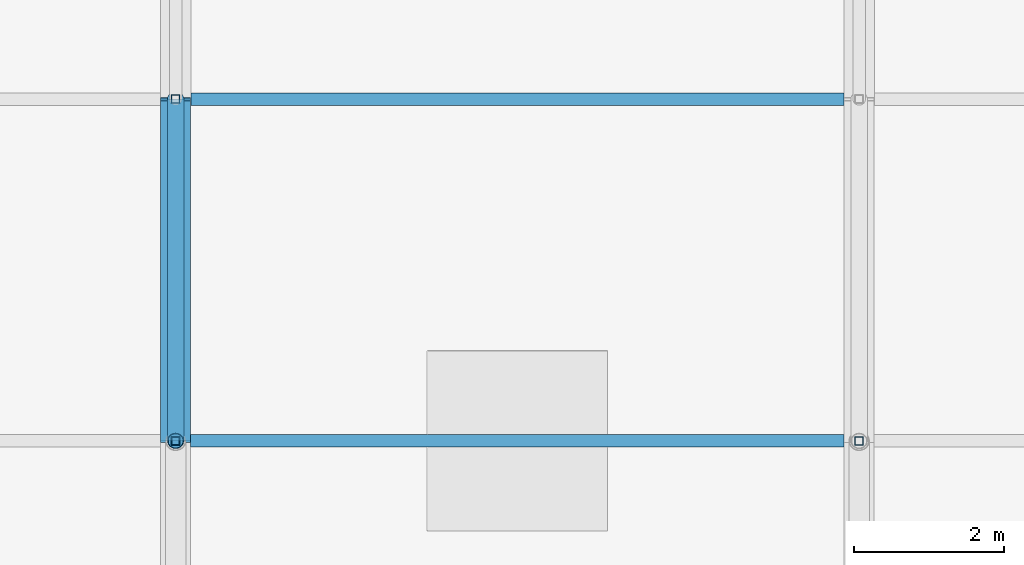
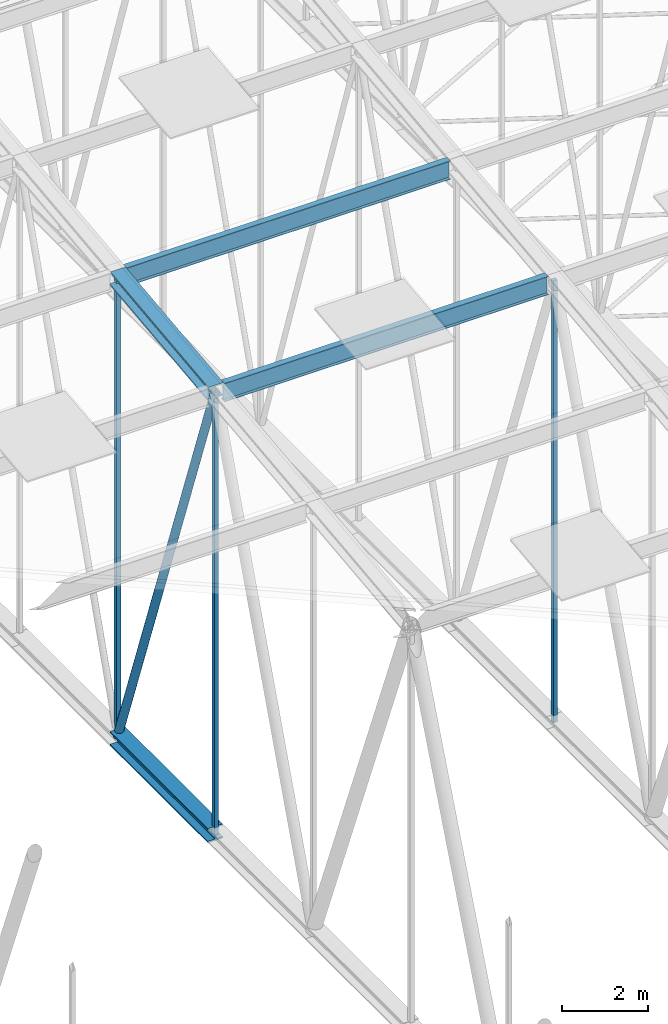
# One storey, part 140 of 500: 8 members.
"""IFC4 building model written with IfcOpenShell, lengths in metres."""

from ifc_helpers import new_model, si_unit, direction, frame, origin, origin_2d, place, context, subcontext, project, spatial, hollow_rectangle, hollow_circle, i_section, extrude, material, material_profile, profile_set, type_object, element, save


model = new_model("IFC4")

# Units and contexts
model_context = context("Model", 3, precision=1e-05, world=origin(), true_north=direction((0.0, 1.0)))
body_context = subcontext(model_context, "Body", "Model", "MODEL_VIEW")
ifc_project = project(units=[si_unit("LENGTHUNIT", "METRE"), si_unit("AREAUNIT", "SQUARE_METRE"), si_unit("VOLUMEUNIT", "CUBIC_METRE"), si_unit("PLANEANGLEUNIT", "RADIAN"), si_unit("MASSUNIT", "GRAM", prefix="KILO")], contexts=[model_context])

# Site, building, storey
site_placement = place(None, origin())
site = spatial("IfcSite", under=ifc_project, at=site_placement, CompositionType="ELEMENT")
building_placement = place(site_placement, origin())
building = spatial("IfcBuilding", under=site, at=building_placement, Name="Shirokan Park Arena", CompositionType="ELEMENT")
storey_placement = place(building_placement, frame((0.0, 0.0, 29.1201171875)))
storey = spatial("IfcBuildingStorey", under=building, at=storey_placement, Name="L06", CompositionType="ELEMENT", Elevation=29.1201171875)

# Members
ifc_material_1 = material(Name="Steel ASTM A992", Category="steel")
ifc_material_profile_1 = material_profile(ifc_material_1, i_section(OverallWidth=0.40087890625, OverallDepth=0.39892578125, WebThickness=0.02490234375, FlangeThickness=0.03955078125, at=origin_2d()), Name="W360X314")
ifc_profile_set_1 = profile_set([ifc_material_profile_1], Name="Steel ASTM A992")
member_type_1 = type_object("IfcMemberType", Name="Bottom chord W360X314", PredefinedType="CHORD", material=ifc_profile_set_1)
member_1_placement = place(storey_placement, frame((72.800048828125, 40.949951171875, 4.677001953125), z_axis=(0.0, 1.0, 0.0), x_axis=(-1.0, 0.0, 0.0)))
element("IfcMember", 1, at=member_1_placement, inside=storey, type_object=member_type_1, Name="Truss T09 bottom chord 12", PredefinedType="CHORD", context=body_context, shape_type="SweptSolid", body=[
    extrude(i_section(OverallWidth=0.40087890625, OverallDepth=0.39892578125, WebThickness=0.02490234375, FlangeThickness=0.03955078125, at=origin_2d()), origin(), (0.0, 0.0, 1.0), 4.550048828125),
])
ifc_material_profile_2 = material_profile(ifc_material_1, i_section(OverallWidth=0.166015625, OverallDepth=0.528076171875, WebThickness=0.009765625, FlangeThickness=0.013671875, at=origin_2d()), Name="W530X74")
ifc_profile_set_2 = profile_set([ifc_material_profile_2], Name="Steel ASTM A992")
member_type_2 = type_object("IfcMemberType", Name="Purlin W530X74", PredefinedType="PURLIN", material=ifc_profile_set_2)
member_2_placement = place(storey_placement, frame((73.00048828125, 40.949951171875, 17.165771484375), z_axis=(1.0, 0.0, 0.0), x_axis=(0.0, 1.0, 0.0)))
element("IfcMember", 2, at=member_2_placement, inside=storey, type_object=member_type_2, Name="Purlin 12 bay 9", PredefinedType="PURLIN", context=body_context, shape_type="SweptSolid", body=[
    extrude(i_section(OverallWidth=0.166015625, OverallDepth=0.528076171875, WebThickness=0.009765625, FlangeThickness=0.013671875, at=origin_2d()), origin(), (0.0, 0.0, 1.0), 8.698974609375),
])
member_3_placement = place(storey_placement, frame((73.0029296875, 45.5, 17.685791015625), z_axis=(1.0, 0.0, 0.0), x_axis=(0.0, 1.0, 0.0)))
element("IfcMember", 3, at=member_3_placement, inside=storey, type_object=member_type_2, Name="Purlin 13 bay 9", PredefinedType="PURLIN", context=body_context, shape_type="SweptSolid", body=[
    extrude(i_section(OverallWidth=0.166015625, OverallDepth=0.528076171875, WebThickness=0.009765625, FlangeThickness=0.013671875, at=origin_2d()), origin(), (0.0, 0.0, 1.0), 8.694091796875),
])
ifc_material_profile_3 = material_profile(ifc_material_1, i_section(OverallWidth=0.40087890625, OverallDepth=0.39892578125, WebThickness=0.02490234375, FlangeThickness=0.03955078125, at=origin_2d()), Name="W360X314")
ifc_profile_set_3 = profile_set([ifc_material_profile_3], Name="Steel ASTM A992")
member_type_3 = type_object("IfcMemberType", Name="Top chord W360X314", PredefinedType="CHORD", material=ifc_profile_set_3)
member_4_placement = place(storey_placement, frame((72.800048828125, 40.949951171875, 17.221435546875), z_axis=(0.0, 0.993532328996, 0.113549598152), x_axis=(-1.0, 0.0, 0.0)))
element("IfcMember", 4, at=member_4_placement, inside=storey, type_object=member_type_3, Name="Truss T09 top chord 12", PredefinedType="CHORD", context=body_context, shape_type="SweptSolid", body=[
    extrude(i_section(OverallWidth=0.40087890625, OverallDepth=0.39892578125, WebThickness=0.02490234375, FlangeThickness=0.03955078125, at=origin_2d()), origin(), (0.0, 0.0, 1.0), 4.57958984375),
])
ifc_material_2 = material(Name="Steel ASTM A500 Grade C", Category="steel")
ifc_material_profile_4 = material_profile(ifc_material_2, hollow_circle(Radius=0.109619140625, WallThickness=0.009521484375, at=origin_2d()), Name="HSS219.1X9.5")
ifc_profile_set_4 = profile_set([ifc_material_profile_4], Name="Steel ASTM A500 Grade C")
member_type_4 = type_object("IfcMemberType", Name="Truss diagonal HSS219.1X9.5", PredefinedType="BRACE", material=ifc_profile_set_4)
member_5_placement = place(storey_placement, frame((72.800048828125, 40.949951171875, 17.221435546875), z_axis=(0.0, 0.340977600467, -0.94007142068), x_axis=(-1.0, 0.0, 0.0)))
element("IfcMember", 5, at=member_5_placement, inside=storey, type_object=member_type_4, Name="Truss T09 diagonal 12", PredefinedType="BRACE", context=body_context, shape_type="SweptSolid", body=[
    extrude(hollow_circle(Radius=0.109619140625, WallThickness=0.009521484375, at=origin_2d()), origin(), (0.0, 0.0, 1.0), 13.34423828125),
])
ifc_material_profile_5 = material_profile(ifc_material_2, hollow_rectangle(XDim=0.114013671875, YDim=0.114013671875, WallThickness=0.00634765625, at=origin_2d()), Name="HSS114.3X114.3X6.4")
ifc_profile_set_5 = profile_set([ifc_material_profile_5], Name="Steel ASTM A500 Grade C")
member_type_5 = type_object("IfcMemberType", Name="Truss post HSS114.3X114.3X6.4", PredefinedType="POST", material=ifc_profile_set_5)
member_6_placement = place(storey_placement, frame((72.800048828125, 40.949951171875, 4.677001953125), z_axis=(0.0, 0.0, 1.0), x_axis=(1.0, 0.0, 0.0)))
element("IfcMember", 6, at=member_6_placement, inside=storey, type_object=member_type_5, Name="Truss T09 post 12", PredefinedType="POST", context=body_context, shape_type="SweptSolid", body=[
    extrude(hollow_rectangle(XDim=0.114013671875, YDim=0.114013671875, WallThickness=0.00634765625, at=origin_2d()), origin(), (0.0, 0.0, 1.0), 12.54443359375),
])
member_7_placement = place(storey_placement, frame((72.800048828125, 45.5, 4.677001953125), z_axis=(0.0, 0.0, 1.0), x_axis=(1.0, 0.0, 0.0)))
element("IfcMember", 7, at=member_7_placement, inside=storey, type_object=member_type_5, Name="Truss T09 post 13", PredefinedType="POST", context=body_context, shape_type="SweptSolid", body=[
    extrude(hollow_rectangle(XDim=0.114013671875, YDim=0.114013671875, WallThickness=0.00634765625, at=origin_2d()), origin(), (0.0, 0.0, 1.0), 13.064453125),
])
member_8_placement = place(storey_placement, frame((81.89990234375, 40.949951171875, 4.677001953125), z_axis=(0.0, 0.0, 1.0), x_axis=(1.0, 0.0, 0.0)))
element("IfcMember", 8, at=member_8_placement, inside=storey, type_object=member_type_5, Name="Truss T10 post 12", PredefinedType="POST", context=body_context, shape_type="SweptSolid", body=[
    extrude(hollow_rectangle(XDim=0.114013671875, YDim=0.114013671875, WallThickness=0.00634765625, at=origin_2d()), origin(), (0.0, 0.0, 1.0), 12.54443359375),
])

save(model, "model.ifc")
